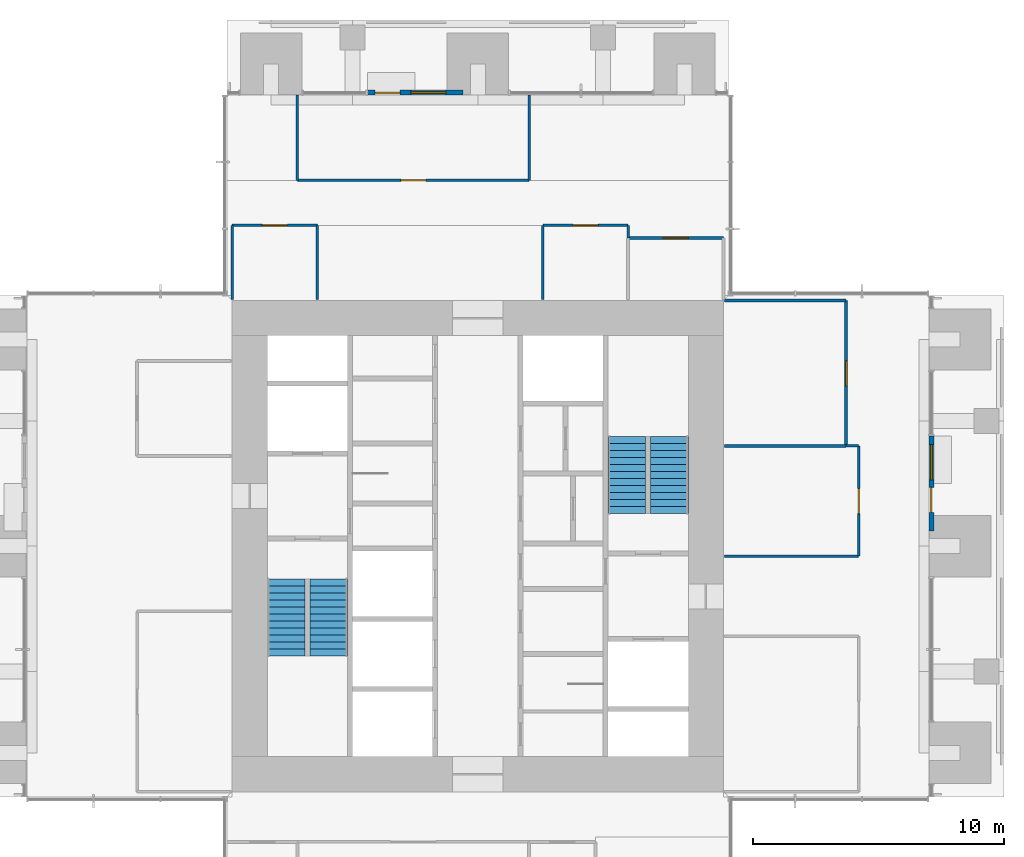
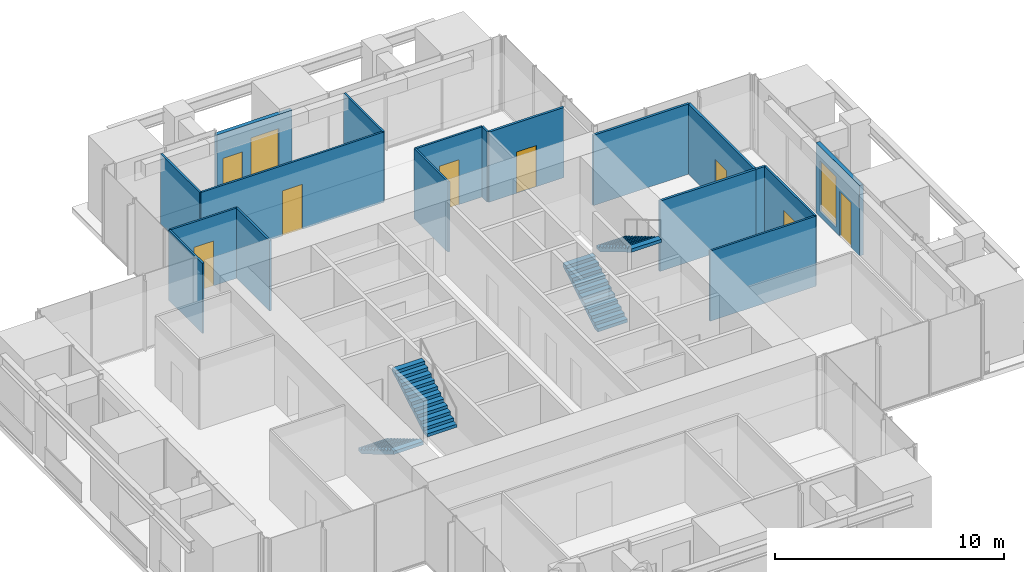
# One storey, part 14 of 17: 18 walls, 8 doors, 4 stair flights, 2 windows, 10 openings, 2 elements without a shape of their own.
"""IFC4 building model written with IfcOpenShell, lengths in metres."""

from ifc_helpers import new_model, si_unit, direction, frame, frame_2d, origin, place, context, subcontext, project, spatial, polyline, rectangle, outline, extrude, material, layer, layer_set, type_object, element, fill, aggregate, save


model = new_model("IFC4")

# Units and contexts
model_context = context("Model", 3, precision=1e-05, world=origin(), true_north=direction((0.0, 1.0)))
body_context = subcontext(model_context, "Body", "Model", "MODEL_VIEW")
ifc_project = project(units=[si_unit("LENGTHUNIT", "METRE"), si_unit("AREAUNIT", "SQUARE_METRE"), si_unit("VOLUMEUNIT", "CUBIC_METRE"), si_unit("PLANEANGLEUNIT", "RADIAN"), si_unit("MASSUNIT", "GRAM", prefix="KILO")], contexts=[model_context])

# Site, building, storey
site_placement = place(None, origin())
site = spatial("IfcSite", under=ifc_project, at=site_placement, CompositionType="ELEMENT")
building_placement = place(site_placement, origin())
building = spatial("IfcBuilding", under=site, at=building_placement, Name="Svetlomir Tower", CompositionType="ELEMENT")
storey_placement = place(building_placement, frame((0.0, 0.0, 174.5)))
storey = spatial("IfcBuildingStorey", under=building, at=storey_placement, Name="L41", CompositionType="ELEMENT", Elevation=174.5)

# Wall, openings, door, window
ifc_material_1 = material(Name="Bronze anodised aluminium glazed screen", Category="aluminium")
ifc_layer_1 = layer(ifc_material_1, 0.199951171875)
ifc_layer_set_1 = layer_set([ifc_layer_1], Name="Bronze anodised aluminium glazed screen")
wall_type_1 = type_object("IfcWallType", Name="BALCONY SCREEN WALL 200", PredefinedType="USERDEFINED", material=ifc_layer_set_1)
wall_1_placement = place(storey_placement, frame((39.10009765625, 21.60009765625, 0.0), z_axis=(0.0, 0.0, 1.0), x_axis=(0.0, 1.0, 0.0)))
wall_1 = element("IfcWall", 1, at=wall_1_placement, inside=storey, type_object=wall_type_1, Name="Balcony screen E", ObjectType="GLAZED SCREEN", PredefinedType="USERDEFINED", context=body_context, shape_type="SweptSolid", body=[
    extrude(rectangle(XDim=3.7998046875, YDim=0.199951171875, at=frame_2d((1.89990234375, 0.0))), origin(), (0.0, 0.0, 1.0), 3.75),
])
opening_1_placement = place(wall_1_placement, frame((0.75, 0.0, 0.0)))
opening_1 = element("IfcOpeningElement", 2, at=opening_1_placement, cuts=wall_1, Name="Opening BD", PredefinedType="OPENING", context=body_context, shape_type="SweptSolid", body=[
    extrude(rectangle(XDim=1.0, YDim=2.39990234375, at=frame_2d((0.5, 1.199951171875))), frame((0.0, 0.10986328125, 0.0), z_axis=(0.0, -1.0, 0.0), x_axis=(1.0, 0.0, 0.0)), (0.0, 0.0, 1.0), 0.219970703125),
])
opening_2_placement = place(wall_1_placement, frame((2.050048828125, 0.0, 0.300048828125)))
opening_2 = element("IfcOpeningElement", 3, at=opening_2_placement, cuts=wall_1, Name="Opening WS2", PredefinedType="OPENING", context=body_context, shape_type="SweptSolid", body=[
    extrude(rectangle(XDim=1.39990234375, YDim=2.699951171875, at=frame_2d((0.699951171875, 1.35009765625))), frame((0.0, 0.10986328125, 0.0), z_axis=(0.0, -1.0, 0.0), x_axis=(1.0, 0.0, 0.0)), (0.0, 0.0, 1.0), 0.219970703125),
])
ifc_material_2 = material(Name="Bronze anodised aluminium glazed door", Category="aluminium")
door_type_1 = type_object("IfcDoorType", Name="BALCONY DOOR BD 1000x2400", OperationType="SINGLE_SWING_LEFT", PredefinedType="DOOR", material=ifc_material_2)
door_1_placement = place(opening_1_placement, origin())
door_1 = element("IfcDoor", 4, at=door_1_placement, inside=storey, type_object=door_type_1, Name="Balcony screen E door", OperationType="SINGLE_SWING_LEFT", OverallHeight=2.39990234375, OverallWidth=1.0, PredefinedType="DOOR", context=body_context, shape_type="SweptSolid", body=[
    extrude(rectangle(XDim=1.0, YDim=2.39990234375, at=frame_2d((0.5, 1.199951171875))), frame((0.0, 0.02490234375, 0.0), z_axis=(0.0, -1.0, 0.0), x_axis=(1.0, 0.0, 0.0)), (0.0, 0.0, 1.0), 0.050048828125),
])
fill(opening_1, door_1)
ifc_material_3 = material(Name="Bronze anodised aluminium window", Category="aluminium")
window_type = type_object("IfcWindowType", Name="SCREEN WINDOW WS2 1400x2700", PartitioningType="SINGLE_PANEL", PredefinedType="WINDOW", material=ifc_material_3)
window_1_placement = place(opening_2_placement, origin())
window_1 = element("IfcWindow", 5, at=window_1_placement, inside=storey, type_object=window_type, Name="Balcony screen E window 1", OverallHeight=2.699951171875, OverallWidth=1.39990234375, PartitioningType="SINGLE_PANEL", PredefinedType="WINDOW", context=body_context, shape_type="SweptSolid", body=[
    extrude(rectangle(XDim=1.39990234375, YDim=2.699951171875, at=frame_2d((0.699951171875, 1.35009765625))), frame((0.0, 0.030029296875, 0.0), z_axis=(0.0, -1.0, 0.0), x_axis=(1.0, 0.0, 0.0)), (0.0, 0.0, 1.0), 0.06005859375),
])
fill(opening_2, window_1)

wall_2_placement = place(storey_placement, frame((20.39990234375, 39.10009765625, 0.0), z_axis=(0.0, 0.0, 1.0), x_axis=(-1.0, 0.0, 0.0)))
wall_2 = element("IfcWall", 6, at=wall_2_placement, inside=storey, type_object=wall_type_1, Name="Balcony screen N", ObjectType="GLAZED SCREEN", PredefinedType="USERDEFINED", context=body_context, shape_type="SweptSolid", body=[
    extrude(rectangle(XDim=3.7998046875, YDim=0.199951171875, at=frame_2d((1.89990234375, 0.0))), origin(), (0.0, 0.0, 1.0), 3.75),
])
opening_3_placement = place(wall_2_placement, frame((2.5, 0.0, 0.0)))
opening_3 = element("IfcOpeningElement", 7, at=opening_3_placement, cuts=wall_2, Name="Opening BD", PredefinedType="OPENING", context=body_context, shape_type="SweptSolid", body=[
    extrude(rectangle(XDim=1.0, YDim=2.39990234375, at=frame_2d((0.5, 1.199951171875))), frame((0.0, 0.10986328125, 0.0), z_axis=(0.0, -1.0, 0.0), x_axis=(1.0, 0.0, 0.0)), (0.0, 0.0, 1.0), 0.219970703125),
])
opening_4_placement = place(wall_2_placement, frame((0.675048828125, 0.0, 0.300048828125)))
opening_4 = element("IfcOpeningElement", 8, at=opening_4_placement, cuts=wall_2, Name="Opening WS2", PredefinedType="OPENING", context=body_context, shape_type="SweptSolid", body=[
    extrude(rectangle(XDim=1.39990234375, YDim=2.699951171875, at=frame_2d((0.699951171875, 1.35009765625))), frame((0.0, 0.10986328125, 0.0), z_axis=(0.0, -1.0, 0.0), x_axis=(1.0, 0.0, 0.0)), (0.0, 0.0, 1.0), 0.219970703125),
])
door_2_placement = place(opening_3_placement, origin())
door_2 = element("IfcDoor", 9, at=door_2_placement, inside=storey, type_object=door_type_1, Name="Balcony screen N door", OperationType="SINGLE_SWING_LEFT", OverallHeight=2.39990234375, OverallWidth=1.0, PredefinedType="DOOR", context=body_context, shape_type="SweptSolid", body=[
    extrude(rectangle(XDim=1.0, YDim=2.39990234375, at=frame_2d((0.5, 1.199951171875))), frame((0.0, 0.02490234375, 0.0), z_axis=(0.0, -1.0, 0.0), x_axis=(1.0, 0.0, 0.0)), (0.0, 0.0, 1.0), 0.050048828125),
])
fill(opening_3, door_2)
window_2_placement = place(opening_4_placement, origin())
window_2 = element("IfcWindow", 10, at=window_2_placement, inside=storey, type_object=window_type, Name="Balcony screen N window 1", OverallHeight=2.699951171875, OverallWidth=1.39990234375, PartitioningType="SINGLE_PANEL", PredefinedType="WINDOW", context=body_context, shape_type="SweptSolid", body=[
    extrude(rectangle(XDim=1.39990234375, YDim=2.699951171875, at=frame_2d((0.699951171875, 1.35009765625))), frame((0.0, 0.030029296875, 0.0), z_axis=(0.0, -1.0, 0.0), x_axis=(1.0, 0.0, 0.0)), (0.0, 0.0, 1.0), 0.06005859375),
])
fill(opening_4, window_2)

# Wall
ifc_material_4 = material(Name="Framed laminated glass partition", Category="glass")
ifc_layer_2 = layer(ifc_material_4, 0.10009765625)
ifc_layer_set_2 = layer_set([ifc_layer_2], Name="Framed laminated glass partition")
wall_type_2 = type_object("IfcWallType", Name="GLAZED PARTITION 100", PredefinedType="PARTITIONING", material=ifc_layer_set_2)
wall_3_placement = place(storey_placement, frame((11.199951171875, 30.85009765625, 0.0), z_axis=(0.0, 0.0, 1.0), x_axis=(0.0, 1.0, 0.0)))
element("IfcWall", 11, at=wall_3_placement, inside=storey, type_object=wall_type_2, Name="Glazed partition L41", PredefinedType="PARTITIONING", context=body_context, shape_type="SweptSolid", body=[
    extrude(rectangle(XDim=2.949951171875, YDim=0.10009765625, at=frame_2d((1.47509765625, 0.0))), origin(), (0.0, 0.0, 1.0), 3.75),
])

# Wall, opening, door
wall_4_placement = place(storey_placement, frame((11.199951171875, 33.800048828125, 0.0), z_axis=(0.0, 0.0, 1.0), x_axis=(1.0, 0.0, 0.0)))
wall_4 = element("IfcWall", 12, at=wall_4_placement, inside=storey, type_object=wall_type_2, Name="Glazed partition L41", PredefinedType="PARTITIONING", context=body_context, shape_type="SweptSolid", body=[
    extrude(rectangle(XDim=3.400146484375, YDim=0.10009765625, at=frame_2d((1.7001953125, 0.0))), origin(), (0.0, 0.0, 1.0), 3.75),
])
opening_5_placement = place(wall_4_placement, frame((1.199951171875, 0.0, 0.0)))
opening_5 = element("IfcOpeningElement", 13, at=opening_5_placement, cuts=wall_4, Name="Opening DG", PredefinedType="OPENING", context=body_context, shape_type="SweptSolid", body=[
    extrude(rectangle(XDim=1.0, YDim=2.39990234375, at=frame_2d((0.5, 1.199951171875))), frame((0.0, 0.06005859375, 0.0), z_axis=(0.0, -1.0, 0.0), x_axis=(1.0, 0.0, 0.0)), (0.0, 0.0, 1.0), 0.1201171875),
])
ifc_material_5 = material(Name="Framed laminated glass door", Category="glass")
door_type_2 = type_object("IfcDoorType", Name="GLAZED DOOR DG 1000x2400", OperationType="SINGLE_SWING_LEFT", PredefinedType="DOOR", material=ifc_material_5)
door_3_placement = place(opening_5_placement, origin())
door_3 = element("IfcDoor", 14, at=door_3_placement, inside=storey, type_object=door_type_2, Name="Hardware lab door L41", OperationType="SINGLE_SWING_RIGHT", OverallHeight=2.39990234375, OverallWidth=1.0, PredefinedType="DOOR", context=body_context, shape_type="SweptSolid", body=[
    extrude(rectangle(XDim=1.0, YDim=2.39990234375, at=frame_2d((0.5, 1.199951171875))), frame((0.0, 0.02490234375, 0.0), z_axis=(0.0, -1.0, 0.0), x_axis=(1.0, 0.0, 0.0)), (0.0, 0.0, 1.0), 0.050048828125),
])
fill(opening_5, door_3)

# Wall
wall_5_placement = place(storey_placement, frame((13.800048828125, 35.60009765625, 0.0), z_axis=(0.0, 0.0, 1.0), x_axis=(0.0, 1.0, 0.0)))
element("IfcWall", 15, at=wall_5_placement, inside=storey, type_object=wall_type_2, Name="Glazed partition L41", PredefinedType="PARTITIONING", context=body_context, shape_type="SweptSolid", body=[
    extrude(rectangle(XDim=3.39990234375, YDim=0.10009765625, at=frame_2d((1.699951171875, 0.0))), origin(), (0.0, 0.0, 1.0), 3.75),
])

# Wall, opening, door
wall_6_placement = place(storey_placement, frame((13.800048828125, 35.60009765625, 0.0), z_axis=(0.0, 0.0, 1.0), x_axis=(1.0, 0.0, 0.0)))
wall_6 = element("IfcWall", 16, at=wall_6_placement, inside=storey, type_object=wall_type_2, Name="Glazed partition L41", PredefinedType="PARTITIONING", context=body_context, shape_type="SweptSolid", body=[
    extrude(rectangle(XDim=9.25, YDim=0.10009765625, at=frame_2d((4.625, 0.0))), origin(), (0.0, 0.0, 1.0), 3.75),
])
opening_6_placement = place(wall_6_placement, frame((4.125, 0.0, 0.0)))
opening_6 = element("IfcOpeningElement", 17, at=opening_6_placement, cuts=wall_6, Name="Opening DG", PredefinedType="OPENING", context=body_context, shape_type="SweptSolid", body=[
    extrude(rectangle(XDim=1.0, YDim=2.39990234375, at=frame_2d((0.5, 1.199951171875))), frame((0.0, 0.06005859375, 0.0), z_axis=(0.0, -1.0, 0.0), x_axis=(1.0, 0.0, 0.0)), (0.0, 0.0, 1.0), 0.1201171875),
])
door_4_placement = place(opening_6_placement, origin())
door_4 = element("IfcDoor", 18, at=door_4_placement, inside=storey, type_object=door_type_2, Name="Loggia break-out and kitchenette door L41", OperationType="SINGLE_SWING_RIGHT", OverallHeight=2.39990234375, OverallWidth=1.0, PredefinedType="DOOR", context=body_context, shape_type="SweptSolid", body=[
    extrude(rectangle(XDim=1.0, YDim=2.39990234375, at=frame_2d((0.5, 1.199951171875))), frame((0.0, 0.02490234375, 0.0), z_axis=(0.0, -1.0, 0.0), x_axis=(1.0, 0.0, 0.0)), (0.0, 0.0, 1.0), 0.050048828125),
])
fill(opening_6, door_4)

# Walls
wall_7_placement = place(storey_placement, frame((14.60009765625, 30.85009765625, 0.0), z_axis=(0.0, 0.0, 1.0), x_axis=(0.0, 1.0, 0.0)))
element("IfcWall", 19, at=wall_7_placement, inside=storey, type_object=wall_type_2, Name="Glazed partition L41", PredefinedType="PARTITIONING", context=body_context, shape_type="SweptSolid", body=[
    extrude(rectangle(XDim=2.949951171875, YDim=0.10009765625, at=frame_2d((1.47509765625, 0.0))), origin(), (0.0, 0.0, 1.0), 3.75),
])
wall_8_placement = place(storey_placement, frame((23.050048828125, 35.60009765625, 0.0), z_axis=(0.0, 0.0, 1.0), x_axis=(0.0, 1.0, 0.0)))
element("IfcWall", 20, at=wall_8_placement, inside=storey, type_object=wall_type_2, Name="Glazed partition L41", PredefinedType="PARTITIONING", context=body_context, shape_type="SweptSolid", body=[
    extrude(rectangle(XDim=3.39990234375, YDim=0.10009765625, at=frame_2d((1.699951171875, 0.0))), origin(), (0.0, 0.0, 1.0), 3.75),
])
wall_9_placement = place(storey_placement, frame((23.60009765625, 30.85009765625, 0.0), z_axis=(0.0, 0.0, 1.0), x_axis=(0.0, 1.0, 0.0)))
element("IfcWall", 21, at=wall_9_placement, inside=storey, type_object=wall_type_2, Name="Glazed partition L41", PredefinedType="PARTITIONING", context=body_context, shape_type="SweptSolid", body=[
    extrude(rectangle(XDim=2.949951171875, YDim=0.10009765625, at=frame_2d((1.47509765625, 0.0))), origin(), (0.0, 0.0, 1.0), 3.75),
])

# Wall, opening, door
wall_10_placement = place(storey_placement, frame((23.60009765625, 33.800048828125, 0.0), z_axis=(0.0, 0.0, 1.0), x_axis=(1.0, 0.0, 0.0)))
wall_10 = element("IfcWall", 22, at=wall_10_placement, inside=storey, type_object=wall_type_2, Name="Glazed partition L41", PredefinedType="PARTITIONING", context=body_context, shape_type="SweptSolid", body=[
    extrude(rectangle(XDim=3.39990234375, YDim=0.10009765625, at=frame_2d((1.699951171875, 0.0))), origin(), (0.0, 0.0, 1.0), 3.75),
])
opening_7_placement = place(wall_10_placement, frame((1.199951171875, 0.0, 0.0)))
opening_7 = element("IfcOpeningElement", 23, at=opening_7_placement, cuts=wall_10, Name="Opening DG", PredefinedType="OPENING", context=body_context, shape_type="SweptSolid", body=[
    extrude(rectangle(XDim=1.0, YDim=2.39990234375, at=frame_2d((0.5, 1.199951171875))), frame((0.0, 0.06005859375, 0.0), z_axis=(0.0, -1.0, 0.0), x_axis=(1.0, 0.0, 0.0)), (0.0, 0.0, 1.0), 0.1201171875),
])
door_5_placement = place(opening_7_placement, origin())
door_5 = element("IfcDoor", 24, at=door_5_placement, inside=storey, type_object=door_type_2, Name="Focus room door L41", OperationType="SINGLE_SWING_RIGHT", OverallHeight=2.39990234375, OverallWidth=1.0, PredefinedType="DOOR", context=body_context, shape_type="SweptSolid", body=[
    extrude(rectangle(XDim=1.0, YDim=2.39990234375, at=frame_2d((0.5, 1.199951171875))), frame((0.0, 0.02490234375, 0.0), z_axis=(0.0, -1.0, 0.0), x_axis=(1.0, 0.0, 0.0)), (0.0, 0.0, 1.0), 0.050048828125),
])
fill(opening_7, door_5)

# Walls
wall_11_placement = place(storey_placement, frame((27.0, 33.300048828125, 0.0), z_axis=(0.0, 0.0, 1.0), x_axis=(0.0, 1.0, 0.0)))
element("IfcWall", 25, at=wall_11_placement, inside=storey, type_object=wall_type_2, Name="Glazed partition L41", PredefinedType="PARTITIONING", context=body_context, shape_type="SweptSolid", body=[
    extrude(rectangle(XDim=0.5, YDim=0.10009765625, at=frame_2d((0.25, 0.0))), origin(), (0.0, 0.0, 1.0), 3.75),
])
wall_12_placement = place(storey_placement, frame((30.85009765625, 20.60009765625, 0.0), z_axis=(0.0, 0.0, 1.0), x_axis=(1.0, 0.0, 0.0)))
element("IfcWall", 26, at=wall_12_placement, inside=storey, type_object=wall_type_2, Name="Glazed partition L41", PredefinedType="PARTITIONING", context=body_context, shape_type="SweptSolid", body=[
    extrude(rectangle(XDim=5.349853515625, YDim=0.10009765625, at=frame_2d((2.6748046875, 0.0))), origin(), (0.0, 0.0, 1.0), 3.75),
])
wall_13_placement = place(storey_placement, frame((35.699951171875, 25.0, 0.0), z_axis=(0.0, 0.0, 1.0), x_axis=(1.0, 0.0, 0.0)))
element("IfcWall", 27, at=wall_13_placement, inside=storey, type_object=wall_type_2, Name="Glazed partition L41", PredefinedType="PARTITIONING", context=body_context, shape_type="SweptSolid", body=[
    extrude(rectangle(XDim=0.5, YDim=0.10009765625, at=frame_2d((0.25, 0.0))), origin(), (0.0, 0.0, 1.0), 3.75),
])

# Wall, opening, door
wall_14_placement = place(storey_placement, frame((36.199951171875, 20.60009765625, 0.0), z_axis=(0.0, 0.0, 1.0), x_axis=(0.0, 1.0, 0.0)))
wall_14 = element("IfcWall", 28, at=wall_14_placement, inside=storey, type_object=wall_type_2, Name="Glazed partition L41", PredefinedType="PARTITIONING", context=body_context, shape_type="SweptSolid", body=[
    extrude(rectangle(XDim=4.39990234375, YDim=0.10009765625, at=frame_2d((2.199951171875, 0.0))), origin(), (0.0, 0.0, 1.0), 3.75),
])
opening_8_placement = place(wall_14_placement, frame((1.699951171875, 0.0, 0.0)))
opening_8 = element("IfcOpeningElement", 29, at=opening_8_placement, cuts=wall_14, Name="Opening DG", PredefinedType="OPENING", context=body_context, shape_type="SweptSolid", body=[
    extrude(rectangle(XDim=1.0, YDim=2.39990234375, at=frame_2d((0.5, 1.199951171875))), frame((0.0, 0.06005859375, 0.0), z_axis=(0.0, -1.0, 0.0), x_axis=(1.0, 0.0, 0.0)), (0.0, 0.0, 1.0), 0.1201171875),
])
door_6_placement = place(opening_8_placement, origin())
door_6 = element("IfcDoor", 30, at=door_6_placement, inside=storey, type_object=door_type_2, Name="Meeting room, 6 seats door L41", OperationType="SINGLE_SWING_LEFT", OverallHeight=2.39990234375, OverallWidth=1.0, PredefinedType="DOOR", context=body_context, shape_type="SweptSolid", body=[
    extrude(rectangle(XDim=1.0, YDim=2.39990234375, at=frame_2d((0.5, 1.199951171875))), frame((0.0, 0.02490234375, 0.0), z_axis=(0.0, -1.0, 0.0), x_axis=(1.0, 0.0, 0.0)), (0.0, 0.0, 1.0), 0.050048828125),
])
fill(opening_8, door_6)

ifc_material_6 = material(Name="Gypsum board on steel studs", Category="steel")
ifc_layer_3 = layer(ifc_material_6, 0.1201171875)
ifc_layer_set_3 = layer_set([ifc_layer_3], Name="Gypsum board on steel studs")
wall_type_3 = type_object("IfcWallType", Name="PARTITION 120", PredefinedType="PARTITIONING", material=ifc_layer_set_3)
wall_15_placement = place(storey_placement, frame((27.0, 33.300048828125, 0.0), z_axis=(0.0, 0.0, 1.0), x_axis=(1.0, 0.0, 0.0)))
wall_15 = element("IfcWall", 31, at=wall_15_placement, inside=storey, type_object=wall_type_3, Name="Partition L41", PredefinedType="PARTITIONING", context=body_context, shape_type="SweptSolid", body=[
    extrude(rectangle(XDim=3.800048828125, YDim=0.1201171875, at=frame_2d((1.89990234375, 0.0))), origin(), (0.0, 0.0, 1.0), 3.75),
])
opening_9_placement = place(wall_15_placement, frame((1.39990234375, 0.0, 0.0)))
opening_9 = element("IfcOpeningElement", 32, at=opening_9_placement, cuts=wall_15, Name="Opening DR", PredefinedType="OPENING", context=body_context, shape_type="SweptSolid", body=[
    extrude(rectangle(XDim=1.0, YDim=2.199951171875, at=frame_2d((0.5, 1.10009765625))), frame((0.0, 0.070068359375, 0.0), z_axis=(0.0, -1.0, 0.0), x_axis=(1.0, 0.0, 0.0)), (0.0, 0.0, 1.0), 0.14013671875),
])
ifc_material_7 = material(Name="Timber door, glazed side light", Category="wood")
door_type_3 = type_object("IfcDoorType", Name="DOOR DR 1000x2200", OperationType="SINGLE_SWING_LEFT", PredefinedType="DOOR", material=ifc_material_7)
door_7_placement = place(opening_9_placement, origin())
door_7 = element("IfcDoor", 33, at=door_7_placement, inside=storey, type_object=door_type_3, Name="Store door L41", OperationType="SINGLE_SWING_LEFT", OverallHeight=2.199951171875, OverallWidth=1.0, PredefinedType="DOOR", context=body_context, shape_type="SweptSolid", body=[
    extrude(rectangle(XDim=1.0, YDim=2.199951171875, at=frame_2d((0.5, 1.10009765625))), frame((0.0, 0.02490234375, 0.0), z_axis=(0.0, -1.0, 0.0), x_axis=(1.0, 0.0, 0.0)), (0.0, 0.0, 1.0), 0.050048828125),
])
fill(opening_9, door_7)

# Walls
for number, where, z_axis, x_axis, name in (
    (34, (30.85009765625, 25.0, 0.0), (0.0, 0.0, 1.0), (1.0, 0.0, 0.0), "Partition L41"),
    (35, (30.85009765625, 30.800048828125, 0.0), (0.0, 0.0, 1.0), (1.0, 0.0, 0.0), "Partition L41"),
):
    element("IfcWall", number, at=place(storey_placement, frame(where, z_axis=z_axis, x_axis=x_axis)), inside=storey, type_object=wall_type_3, Name=name, PredefinedType="PARTITIONING", context=body_context, shape_type="SweptSolid", body=[
        extrude(rectangle(XDim=4.849853515625, YDim=0.1201171875, at=frame_2d((2.4248046875, 0.0))), origin(), (0.0, 0.0, 1.0), 3.75),
    ])

# Wall, opening, door
wall_16_placement = place(storey_placement, frame((35.699951171875, 25.0, 0.0), z_axis=(0.0, 0.0, 1.0), x_axis=(0.0, 1.0, 0.0)))
wall_16 = element("IfcWall", 36, at=wall_16_placement, inside=storey, type_object=wall_type_3, Name="Partition L41", PredefinedType="PARTITIONING", context=body_context, shape_type="SweptSolid", body=[
    extrude(rectangle(XDim=5.800048828125, YDim=0.1201171875, at=frame_2d((2.89990234375, 0.0))), origin(), (0.0, 0.0, 1.0), 3.75),
])
opening_10_placement = place(wall_16_placement, frame((2.39990234375, 0.0, 0.0)))
opening_10 = element("IfcOpeningElement", 37, at=opening_10_placement, cuts=wall_16, Name="Opening DR", PredefinedType="OPENING", context=body_context, shape_type="SweptSolid", body=[
    extrude(rectangle(XDim=1.0, YDim=2.199951171875, at=frame_2d((0.5, 1.10009765625))), frame((0.0, 0.070068359375, 0.0), z_axis=(0.0, -1.0, 0.0), x_axis=(1.0, 0.0, 0.0)), (0.0, 0.0, 1.0), 0.14013671875),
])
door_8_placement = place(opening_10_placement, origin())
door_8 = element("IfcDoor", 38, at=door_8_placement, inside=storey, type_object=door_type_3, Name="Print and materials room door L41", OperationType="SINGLE_SWING_RIGHT", OverallHeight=2.199951171875, OverallWidth=1.0, PredefinedType="DOOR", context=body_context, shape_type="SweptSolid", body=[
    extrude(rectangle(XDim=1.0, YDim=2.199951171875, at=frame_2d((0.5, 1.10009765625))), frame((0.0, 0.02490234375, 0.0), z_axis=(0.0, -1.0, 0.0), x_axis=(1.0, 0.0, 0.0)), (0.0, 0.0, 1.0), 0.050048828125),
])
fill(opening_10, door_8)

# Stair, stair flights
ifc_material_8 = material(Name="Concrete C60/75", Category="concrete")
stair_type = type_object("IfcStairType", Name="EXIT STAIR 3200 RISE 4000", PredefinedType="HALF_TURN_STAIR", material=ifc_material_8)
stair_1_placement = place(storey_placement, origin())
stair_1 = element("IfcStair", 39, at=stair_1_placement, inside=storey, type_object=stair_type, Name="Stair S1 L41 to L42", PredefinedType="HALF_TURN_STAIR")
ifc_material_9 = material(Name="Concrete C60/75", Category="concrete")
stair_flight_type = type_object("IfcStairFlightType", Name="STAIR FLIGHT 1500 OF 12 RISERS", PredefinedType="STRAIGHT", material=ifc_material_9)
stair_flight_1_placement = place(storey_placement, frame((13.35009765625, 19.699951171875, 0.0), z_axis=(0.0, 0.0, 1.0), x_axis=(0.0, -1.0, 0.0)))
stair_flight_1 = element("IfcStairFlight", 40, at=stair_flight_1_placement, type_object=stair_flight_type, Name="S1 flight 1", NumberOfRisers=12, NumberOfTreads=11, PredefinedType="STRAIGHT", RiserHeight=0.166666667, TreadLength=0.28, context=body_context, shape_type="SweptSolid", body=[
    extrude(outline(polyline([(0.0, 0.0), (0.0, 0.166748046875), (0.280029296875, 0.166748046875), (0.280029296875, 0.333251953125), (0.56005859375, 0.333251953125), (0.56005859375, 0.5), (0.840087890625, 0.5), (0.840087890625, 0.666748046875), (1.1201171875, 0.666748046875), (1.1201171875, 0.833251953125), (1.39990234375, 0.833251953125), (1.39990234375, 1.0), (1.679931640625, 1.0), (1.679931640625, 1.166748046875), (1.9599609375, 1.166748046875), (1.9599609375, 1.333251953125), (2.239990234375, 1.333251953125), (2.239990234375, 1.5), (2.52001953125, 1.5), (2.52001953125, 1.666748046875), (2.800048828125, 1.666748046875), (2.800048828125, 1.833251953125), (3.080078125, 1.833251953125), (3.080078125, 2.0), (3.080078125, 1.658935546875), (0.29296875, 0.0), (0.0, 0.0)])), frame((0.0, 0.75, 0.0), z_axis=(0.0, -1.0, 0.0), x_axis=(1.0, 0.0, 0.0)), (0.0, 0.0, 1.0), 1.5),
])
stair_flight_2_placement = place(storey_placement, frame((15.050048828125, 16.6201171875, 2.0), z_axis=(0.0, 0.0, 1.0), x_axis=(0.0, 1.0, 0.0)))
stair_flight_2 = element("IfcStairFlight", 41, at=stair_flight_2_placement, type_object=stair_flight_type, Name="S1 flight 2", NumberOfRisers=12, NumberOfTreads=11, PredefinedType="STRAIGHT", RiserHeight=0.166666667, TreadLength=0.28, context=body_context, shape_type="SweptSolid", body=[
    extrude(outline(polyline([(0.0, 0.0), (0.0, 0.166748046875), (0.280029296875, 0.166748046875), (0.280029296875, 0.333251953125), (0.56005859375, 0.333251953125), (0.56005859375, 0.5), (0.840087890625, 0.5), (0.840087890625, 0.666748046875), (1.1201171875, 0.666748046875), (1.1201171875, 0.833251953125), (1.39990234375, 0.833251953125), (1.39990234375, 1.0), (1.679931640625, 1.0), (1.679931640625, 1.166748046875), (1.9599609375, 1.166748046875), (1.9599609375, 1.333251953125), (2.239990234375, 1.333251953125), (2.239990234375, 1.5), (2.52001953125, 1.5), (2.52001953125, 1.666748046875), (2.800048828125, 1.666748046875), (2.800048828125, 1.833251953125), (3.080078125, 1.833251953125), (3.080078125, 2.0), (3.080078125, 1.658935546875), (0.29296875, 0.0), (0.0, 0.0)])), frame((0.0, 0.75, 0.0), z_axis=(0.0, -1.0, 0.0), x_axis=(1.0, 0.0, 0.0)), (0.0, 0.0, 1.0), 1.5),
])
aggregate(stair_1, [stair_flight_1, stair_flight_2])

stair_2_placement = place(storey_placement, origin())
stair_2 = element("IfcStair", 42, at=stair_2_placement, inside=storey, type_object=stair_type, Name="Stair S2 L41 to L42", PredefinedType="HALF_TURN_STAIR")
stair_flight_3_placement = place(storey_placement, frame((26.949951171875, 22.300048828125, 0.0), z_axis=(0.0, 0.0, 1.0), x_axis=(0.0, 1.0, 0.0)))
stair_flight_3 = element("IfcStairFlight", 43, at=stair_flight_3_placement, type_object=stair_flight_type, Name="S2 flight 1", NumberOfRisers=12, NumberOfTreads=11, PredefinedType="STRAIGHT", RiserHeight=0.166666667, TreadLength=0.28, context=body_context, shape_type="SweptSolid", body=[
    extrude(outline(polyline([(0.0, 0.0), (0.0, 0.166748046875), (0.280029296875, 0.166748046875), (0.280029296875, 0.333251953125), (0.56005859375, 0.333251953125), (0.56005859375, 0.5), (0.840087890625, 0.5), (0.840087890625, 0.666748046875), (1.1201171875, 0.666748046875), (1.1201171875, 0.833251953125), (1.39990234375, 0.833251953125), (1.39990234375, 1.0), (1.679931640625, 1.0), (1.679931640625, 1.166748046875), (1.9599609375, 1.166748046875), (1.9599609375, 1.333251953125), (2.239990234375, 1.333251953125), (2.239990234375, 1.5), (2.52001953125, 1.5), (2.52001953125, 1.666748046875), (2.800048828125, 1.666748046875), (2.800048828125, 1.833251953125), (3.080078125, 1.833251953125), (3.080078125, 2.0), (3.080078125, 1.658935546875), (0.29296875, 0.0), (0.0, 0.0)])), frame((0.0, 0.75, 0.0), z_axis=(0.0, -1.0, 0.0), x_axis=(1.0, 0.0, 0.0)), (0.0, 0.0, 1.0), 1.5),
])
stair_flight_4_placement = place(storey_placement, frame((28.64990234375, 25.3798828125, 2.0), z_axis=(0.0, 0.0, 1.0), x_axis=(0.0, -1.0, 0.0)))
stair_flight_4 = element("IfcStairFlight", 44, at=stair_flight_4_placement, type_object=stair_flight_type, Name="S2 flight 2", NumberOfRisers=12, NumberOfTreads=11, PredefinedType="STRAIGHT", RiserHeight=0.166666667, TreadLength=0.28, context=body_context, shape_type="SweptSolid", body=[
    extrude(outline(polyline([(0.0, 0.0), (0.0, 0.166748046875), (0.280029296875, 0.166748046875), (0.280029296875, 0.333251953125), (0.56005859375, 0.333251953125), (0.56005859375, 0.5), (0.840087890625, 0.5), (0.840087890625, 0.666748046875), (1.1201171875, 0.666748046875), (1.1201171875, 0.833251953125), (1.39990234375, 0.833251953125), (1.39990234375, 1.0), (1.679931640625, 1.0), (1.679931640625, 1.166748046875), (1.9599609375, 1.166748046875), (1.9599609375, 1.333251953125), (2.239990234375, 1.333251953125), (2.239990234375, 1.5), (2.52001953125, 1.5), (2.52001953125, 1.666748046875), (2.800048828125, 1.666748046875), (2.800048828125, 1.833251953125), (3.080078125, 1.833251953125), (3.080078125, 2.0), (3.080078125, 1.658935546875), (0.29296875, 0.0), (0.0, 0.0)])), frame((0.0, 0.75, 0.0), z_axis=(0.0, -1.0, 0.0), x_axis=(1.0, 0.0, 0.0)), (0.0, 0.0, 1.0), 1.5),
])
aggregate(stair_2, [stair_flight_3, stair_flight_4])

save(model, "model.ifc")
